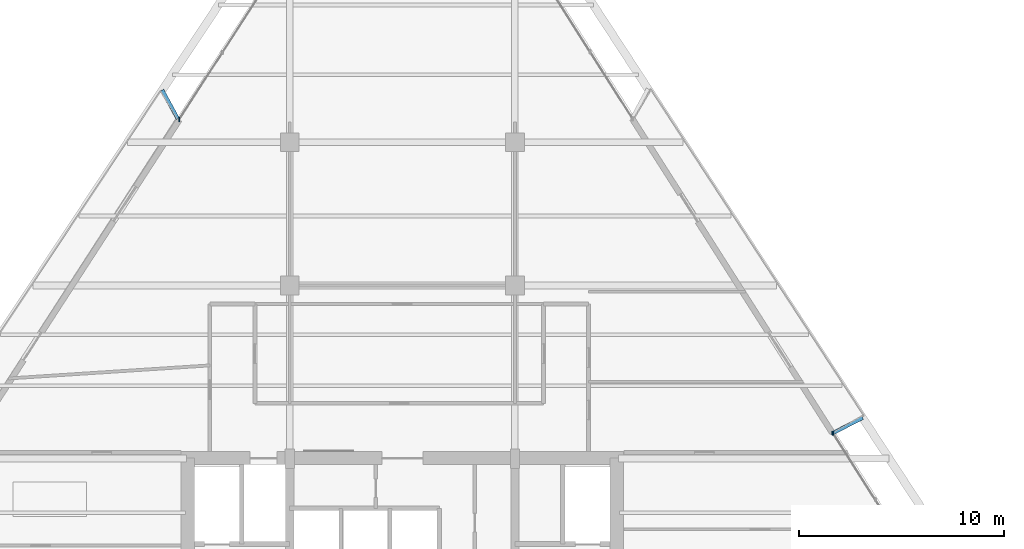
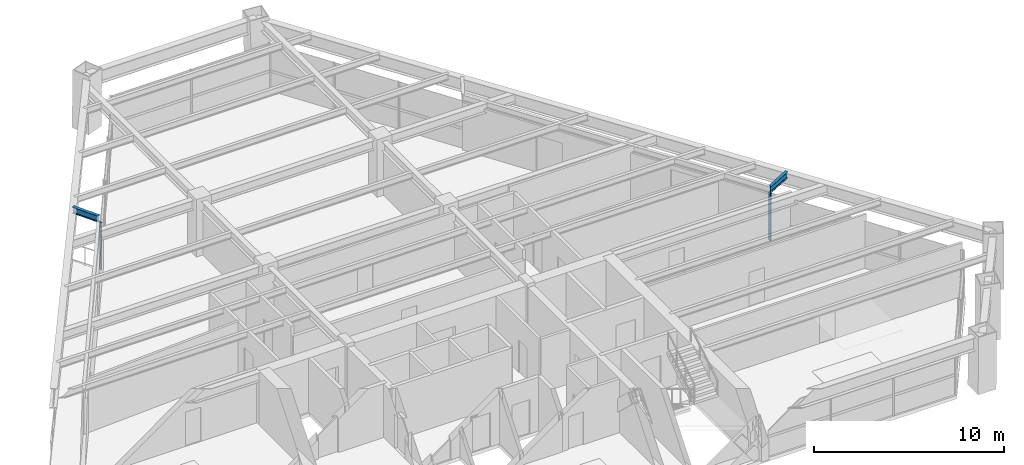
# One storey, part 8 of 15: 4 members, 2 beams, 2 elements without a shape of their own.
"""IFC4 building model written with IfcOpenShell, lengths in metres."""

from ifc_helpers import new_model, si_unit, direction, frame, origin, origin_2d, place, context, subcontext, project, spatial, rectangle, i_section, extrude, source, transform, mapped, material, material_profile, profile_set, type_object, type_shapes, element, aggregate, save


model = new_model("IFC4")

# Units and contexts
model_context = context("Model", 3, precision=1e-05, world=origin(), true_north=direction((0.0, 1.0)))
body_context = subcontext(model_context, "Body", "Model", "MODEL_VIEW")
ifc_project = project(units=[si_unit("LENGTHUNIT", "METRE"), si_unit("AREAUNIT", "SQUARE_METRE"), si_unit("VOLUMEUNIT", "CUBIC_METRE"), si_unit("PLANEANGLEUNIT", "RADIAN"), si_unit("MASSUNIT", "GRAM", prefix="KILO")], contexts=[model_context])

# Site, building, storey
site_placement = place(None, origin())
site = spatial("IfcSite", under=ifc_project, at=site_placement, CompositionType="ELEMENT")
building_placement = place(site_placement, origin())
building = spatial("IfcBuilding", under=site, at=building_placement, Name="Varnakhor Terracotta Tower", CompositionType="ELEMENT")
storey_placement = place(building_placement, frame((0.0, 0.0, 144.10009765625)))
storey = spatial("IfcBuildingStorey", under=building, at=storey_placement, Name="L36", CompositionType="ELEMENT", Elevation=144.10009765625)

# Curtain wall, members
ifc_material_1 = material(Name="Anodised Aluminium Curtain Wall System", Category="aluminium")
curtain_wall_type = type_object("IfcCurtainWallType", Name="CW-SYS-MID-OFFICE", PredefinedType="NOTDEFINED", material=ifc_material_1)
curtain_wall_1_placement = place(storey_placement, origin())
curtain_wall_1 = element("IfcCurtainWall", 1, at=curtain_wall_1_placement, inside=storey, type_object=curtain_wall_type, Name="L36 W Facet Curtain Wall 2", PredefinedType="NOTDEFINED")
ifc_material_2 = material(Name="Anodised Aluminium 6063-T6", Category="aluminium")
ifc_material_profile_1 = material_profile(ifc_material_2, rectangle(XDim=0.070068359375, YDim=0.175048828125, at=origin_2d()), Name="ALU MULLION 70x175")
ifc_profile_set_1 = profile_set([ifc_material_profile_1], Name="Anodised Aluminium 6063-T6")
member_type = type_object("IfcMemberType", Name="CWM-03", PredefinedType="MULLION", material=ifc_profile_set_1)
shared_shape_1 = source(origin(), body_context, "Body", "SweptSolid", [
    extrude(rectangle(XDim=0.070068359375, YDim=0.175048828125, at=origin_2d()), origin(), (0.0, 0.0, 1.0), 3.0498046875),
])
type_shapes(member_type, [shared_shape_1])
member_1_placement = place(storey_placement, frame((-10.89404296875, 32.623291015625, 0.0), z_axis=(0.0, 0.0, 1.0), x_axis=(1.0, 0.0, 0.0)))
member_1 = element("IfcMember", 2, at=member_1_placement, type_object=member_type, Name="L36 W Facet Curtain Wall 2 Mullion 1", PredefinedType="MULLION", context=body_context, shape_type="MappedRepresentation", body=[
    mapped(shared_shape_1, transform((0.0, 0.0, 0.0), scale=1.0)),
])
member_2_placement = place(storey_placement, frame((-10.8935546875, 32.58740234375, 0.0), z_axis=(0.0, 0.0, 1.0), x_axis=(1.0, 0.0, 0.0)))
member_2 = element("IfcMember", 3, at=member_2_placement, type_object=member_type, Name="L36 W Loggia Jamb Closure Mullion 2", PredefinedType="MULLION", context=body_context, shape_type="MappedRepresentation", body=[
    mapped(shared_shape_1, transform((0.0, 0.0, 0.0), scale=1.0)),
])
aggregate(curtain_wall_1, [member_1, member_2])

curtain_wall_2_placement = place(storey_placement, origin())
curtain_wall_2 = element("IfcCurtainWall", 4, at=curtain_wall_2_placement, inside=storey, type_object=curtain_wall_type, Name="L36 E Facet Curtain Wall 2", PredefinedType="NOTDEFINED")
member_3_placement = place(storey_placement, frame((21.03955078125, 17.28271484375, 0.0), z_axis=(0.0, 0.0, 1.0), x_axis=(1.0, 0.0, 0.0)))
member_3 = element("IfcMember", 5, at=member_3_placement, type_object=member_type, Name="L36 E Facet Curtain Wall 2 Mullion 1", PredefinedType="MULLION", context=body_context, shape_type="MappedRepresentation", body=[
    mapped(shared_shape_1, transform((0.0, 0.0, 0.0), scale=1.0)),
])
member_4_placement = place(storey_placement, frame((21.006591796875, 17.29736328125, 0.0), z_axis=(0.0, 0.0, 1.0), x_axis=(1.0, 0.0, 0.0)))
member_4 = element("IfcMember", 6, at=member_4_placement, type_object=member_type, Name="L36 E Loggia Jamb Closure Mullion 2", PredefinedType="MULLION", context=body_context, shape_type="MappedRepresentation", body=[
    mapped(shared_shape_1, transform((0.0, 0.0, 0.0), scale=1.0)),
])
aggregate(curtain_wall_2, [member_3, member_4])

# Beams
ifc_material_3 = material(Name="Steel S355", Category="steel")
ifc_material_profile_2 = material_profile(ifc_material_3, i_section(OverallWidth=0.179931640625, OverallDepth=0.39990234375, WebThickness=0.008544921875, FlangeThickness=0.013427734375, FilletRadius=0.01806640625, at=origin_2d()), Name="IPE400")
ifc_profile_set_2 = profile_set([ifc_material_profile_2], Name="Steel S355")
beam_type = type_object("IfcBeamType", Name="JST-IPE400", PredefinedType="JOIST", material=ifc_profile_set_2)
shared_shape_2 = source(origin(), body_context, "Body", "SweptSolid", [
    extrude(i_section(OverallWidth=0.179931640625, OverallDepth=0.39990234375, WebThickness=0.008544921875, FlangeThickness=0.013427734375, FilletRadius=0.01806640625, at=origin_2d()), origin(), (0.0, 0.0, 1.0), 1.619873046875),
])
beam_1_placement = place(storey_placement, frame((21.040771484375, 17.298828125, 3.27001953125), z_axis=(0.88822400577, 0.459410617612, 0.0), x_axis=(-0.459410617612, 0.88822400577, 0.0)))
element("IfcBeam", 7, at=beam_1_placement, inside=storey, type_object=beam_type, Name="L37 E Loggia Tie Beam 2", PredefinedType="JOIST", context=body_context, shape_type="MappedRepresentation", body=[
    mapped(shared_shape_2, transform((0.0, 0.0, 0.0), scale=1.0)),
])
shared_shape_3 = source(origin(), body_context, "Body", "SweptSolid", [
    extrude(i_section(OverallWidth=0.179931640625, OverallDepth=0.39990234375, WebThickness=0.008544921875, FlangeThickness=0.013427734375, FilletRadius=0.01806640625, at=origin_2d()), origin(), (0.0, 0.0, 1.0), 1.59814453125),
])
beam_2_placement = place(storey_placement, frame((-10.964111328125, 32.643310546875, 3.27001953125), z_axis=(-0.47756716058, 0.878595246479, 0.0), x_axis=(-0.878595246479, -0.47756716058, 0.0)))
element("IfcBeam", 8, at=beam_2_placement, inside=storey, type_object=beam_type, Name="L37 W Loggia Tie Beam 2", PredefinedType="JOIST", context=body_context, shape_type="MappedRepresentation", body=[
    mapped(shared_shape_3, transform((0.0, 0.0, 0.0), scale=1.0)),
])

save(model, "model.ifc")
